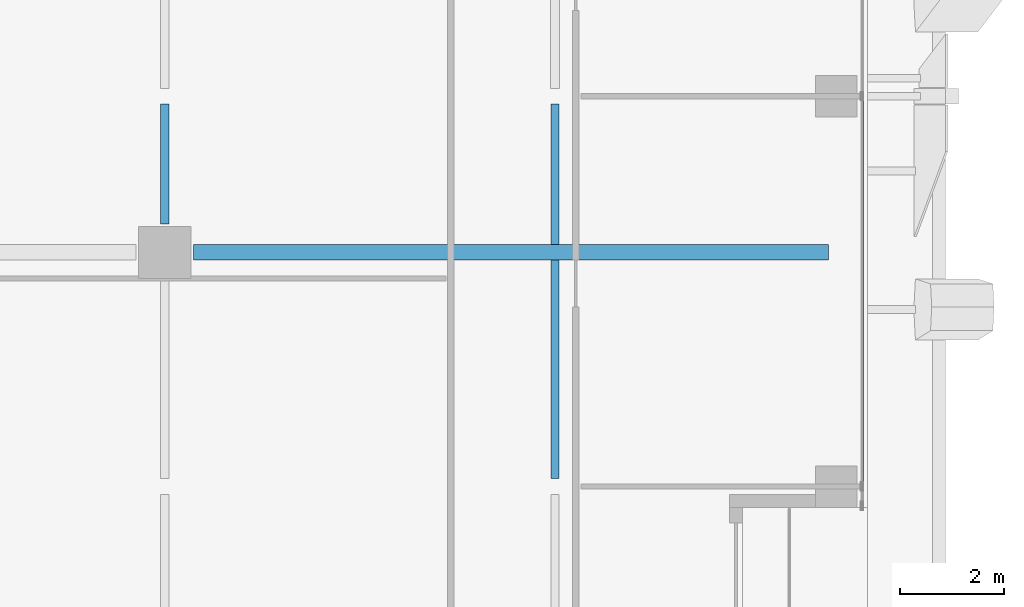
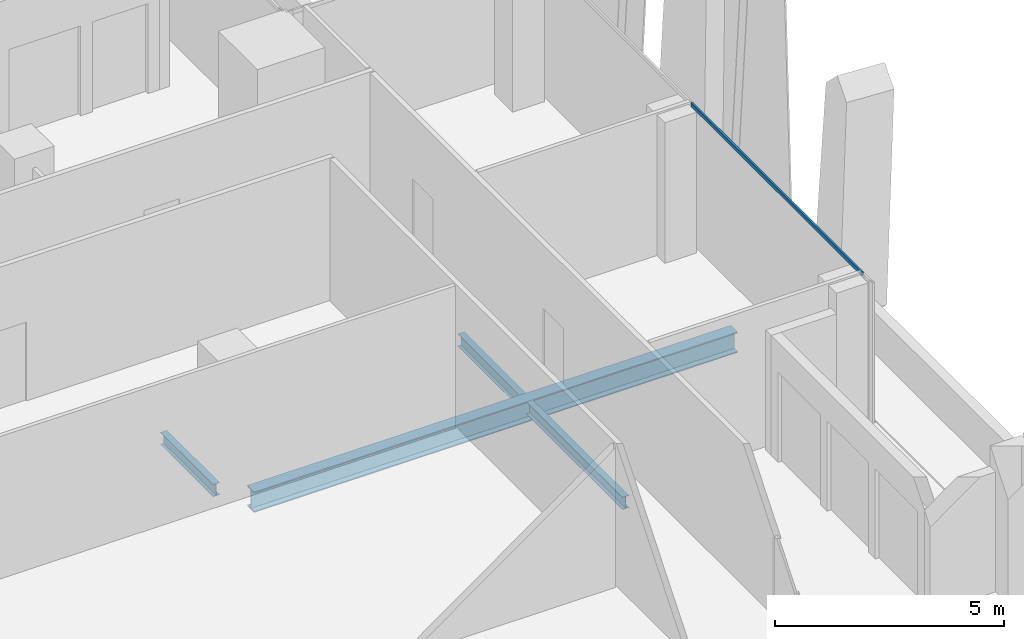
# One storey, part 11 of 32: 4 beams, 1 member, 1 element without a shape of its own.
"""IFC4 building model written with IfcOpenShell, lengths in metres."""

from ifc_helpers import new_model, si_unit, direction, frame, origin, origin_2d, place, context, subcontext, project, spatial, hollow_rectangle, i_section, extrude, source, transform, mapped, material, material_profile, profile_set, type_object, element, aggregate, save


model = new_model("IFC4")

# Units and contexts
model_context = context("Model", 3, precision=1e-05, world=origin(), true_north=direction((0.0, 1.0)))
body_context = subcontext(model_context, "Body", "Model", "MODEL_VIEW")
ifc_project = project(units=[si_unit("LENGTHUNIT", "METRE"), si_unit("AREAUNIT", "SQUARE_METRE"), si_unit("VOLUMEUNIT", "CUBIC_METRE"), si_unit("PLANEANGLEUNIT", "RADIAN"), si_unit("MASSUNIT", "GRAM", prefix="KILO")], contexts=[model_context])

# Site, building, storey
site_placement = place(None, origin())
site = spatial("IfcSite", under=ifc_project, at=site_placement, CompositionType="ELEMENT")
building_placement = place(site_placement, origin())
building = spatial("IfcBuilding", under=site, at=building_placement, Name="Khomas Fold Tower", CompositionType="ELEMENT")
storey_placement = place(building_placement, frame((0.0, 0.0, 282.199951171875)))
storey = spatial("IfcBuildingStorey", under=building, at=storey_placement, Name="L63", CompositionType="ELEMENT", Elevation=282.199951171875)

# Beams
ifc_material_1 = material(Name="Steel S355", Category="steel")
ifc_material_profile_1 = material_profile(ifc_material_1, i_section(OverallWidth=0.159912109375, OverallDepth=0.330078125, WebThickness=0.007568359375, FlangeThickness=0.011474609375, at=origin_2d()), Name="IPE 330")
ifc_profile_set_1 = profile_set([ifc_material_profile_1], Name="Steel S355")
beam_type_1 = type_object("IfcBeamType", Name="IPE 330 beam JB1", PredefinedType="BEAM", material=ifc_profile_set_1)
shared_shape_1 = source(origin(), body_context, "Body", "SweptSolid", [
    extrude(i_section(OverallWidth=0.159912109375, OverallDepth=0.330078125, WebThickness=0.007568359375, FlangeThickness=0.011474609375, at=origin_2d()), origin(), (0.0, 0.0, 1.0), 2.69921875),
])
beam_1_placement = place(storey_placement, frame((42.0, 31.64990234375, -0.4150390625), z_axis=(0.0, 1.0, 0.0), x_axis=(-1.0, 0.0, 0.0)))
element("IfcBeam", 1, at=beam_1_placement, inside=storey, type_object=beam_type_1, Name="JB1", PredefinedType="BEAM", context=body_context, shape_type="MappedRepresentation", body=[
    mapped(shared_shape_1, transform((0.0, 0.0, 0.0))),
])
shared_shape_2 = source(origin(), body_context, "Body", "SweptSolid", [
    extrude(i_section(OverallWidth=0.159912109375, OverallDepth=0.330078125, WebThickness=0.007568359375, FlangeThickness=0.011474609375, at=origin_2d()), origin(), (0.0, 0.0, 1.0), 4.19921875),
])
beam_2_placement = place(storey_placement, frame((42.0, 27.15087890625, -0.4150390625), z_axis=(0.0, 1.0, 0.0), x_axis=(-1.0, 0.0, 0.0)))
element("IfcBeam", 2, at=beam_2_placement, inside=storey, type_object=beam_type_1, Name="JB1", PredefinedType="BEAM", context=body_context, shape_type="MappedRepresentation", body=[
    mapped(shared_shape_2, transform((0.0, 0.0, 0.0))),
])
ifc_material_2 = material(Name="Steel S355", Category="steel")
ifc_material_profile_2 = material_profile(ifc_material_2, i_section(OverallWidth=0.300048828125, OverallDepth=0.550048828125, WebThickness=0.014892578125, FlangeThickness=0.029052734375, at=origin_2d()), Name="HE 550 B")
ifc_profile_set_2 = profile_set([ifc_material_profile_2], Name="Steel S355")
beam_type_2 = type_object("IfcBeamType", Name="HE 550 B beam GB4", PredefinedType="BEAM", material=ifc_profile_set_2)
shared_shape_3 = source(origin(), body_context, "Body", "SweptSolid", [
    extrude(i_section(OverallWidth=0.300048828125, OverallDepth=0.550048828125, WebThickness=0.014892578125, FlangeThickness=0.029052734375, at=origin_2d()), origin(), (0.0, 0.0, 1.0), 12.199951171875),
])
beam_3_placement = place(storey_placement, frame((35.050048828125, 31.5, -0.52490234375), z_axis=(1.0, 0.0, 0.0), x_axis=(0.0, 1.0, 0.0)))
element("IfcBeam", 3, at=beam_3_placement, inside=storey, type_object=beam_type_2, Name="GB4", PredefinedType="BEAM", context=body_context, shape_type="MappedRepresentation", body=[
    mapped(shared_shape_3, transform((0.0, 0.0, 0.0))),
])
shared_shape_4 = source(origin(), body_context, "Body", "SweptSolid", [
    extrude(i_section(OverallWidth=0.159912109375, OverallDepth=0.330078125, WebThickness=0.007568359375, FlangeThickness=0.011474609375, at=origin_2d()), origin(), (0.0, 0.0, 1.0), 2.299072265625),
])
beam_4_placement = place(storey_placement, frame((34.5, 32.050048828125, -0.4150390625), z_axis=(0.0, 1.0, 0.0), x_axis=(-1.0, 0.0, 0.0)))
element("IfcBeam", 4, at=beam_4_placement, inside=storey, type_object=beam_type_1, Name="JB1", PredefinedType="BEAM", context=body_context, shape_type="MappedRepresentation", body=[
    mapped(shared_shape_4, transform((0.0, 0.0, 0.0))),
])

# Curtain wall, member
ifc_material_3 = material(Name="Aluminium framed double glazing", Category="aluminium")
curtain_wall_type = type_object("IfcCurtainWallType", Name="SK-Unitised clear-glass wall, upper floors CW3", PredefinedType="NOTDEFINED", material=ifc_material_3)
curtain_wall_placement = place(storey_placement, origin())
curtain_wall = element("IfcCurtainWall", 5, at=curtain_wall_placement, inside=storey, type_object=curtain_wall_type, Name="CW3 run L63 03-1", PredefinedType="NOTDEFINED")
ifc_material_4 = material(Name="Aluminium", Category="aluminium")
ifc_material_profile_3 = material_profile(ifc_material_4, hollow_rectangle(XDim=0.050048828125, YDim=0.10009765625, WallThickness=0.00390625, at=origin_2d()), Name="SK-Unitised clear-glass wall, upper floors transom CW3-T")
ifc_profile_set_3 = profile_set([ifc_material_profile_3], Name="Aluminium")
member_type = type_object("IfcMemberType", Name="SK-Unitised clear-glass wall, upper floors transom CW3-T", PredefinedType="USERDEFINED", material=ifc_profile_set_3)
shared_shape_5 = source(origin(), body_context, "Body", "SweptSolid", [
    extrude(hollow_rectangle(XDim=0.050048828125, YDim=0.10009765625, WallThickness=0.00390625, at=origin_2d()), origin(), (0.0, 0.0, 1.0), 7.4501953125),
])
member_placement = place(storey_placement, frame((47.89990234375, 27.02490234375, 3.699951171875), z_axis=(0.0, 1.0, 0.0), x_axis=(-1.0, 0.0, 0.0)))
member = element("IfcMember", 6, at=member_placement, type_object=member_type, Name="CW3 transom 2", ObjectType="TRANSOM", PredefinedType="USERDEFINED", context=body_context, shape_type="MappedRepresentation", body=[
    mapped(shared_shape_5, transform((0.0, 0.0, 0.0))),
])
aggregate(curtain_wall, [member])

save(model, "model.ifc")
